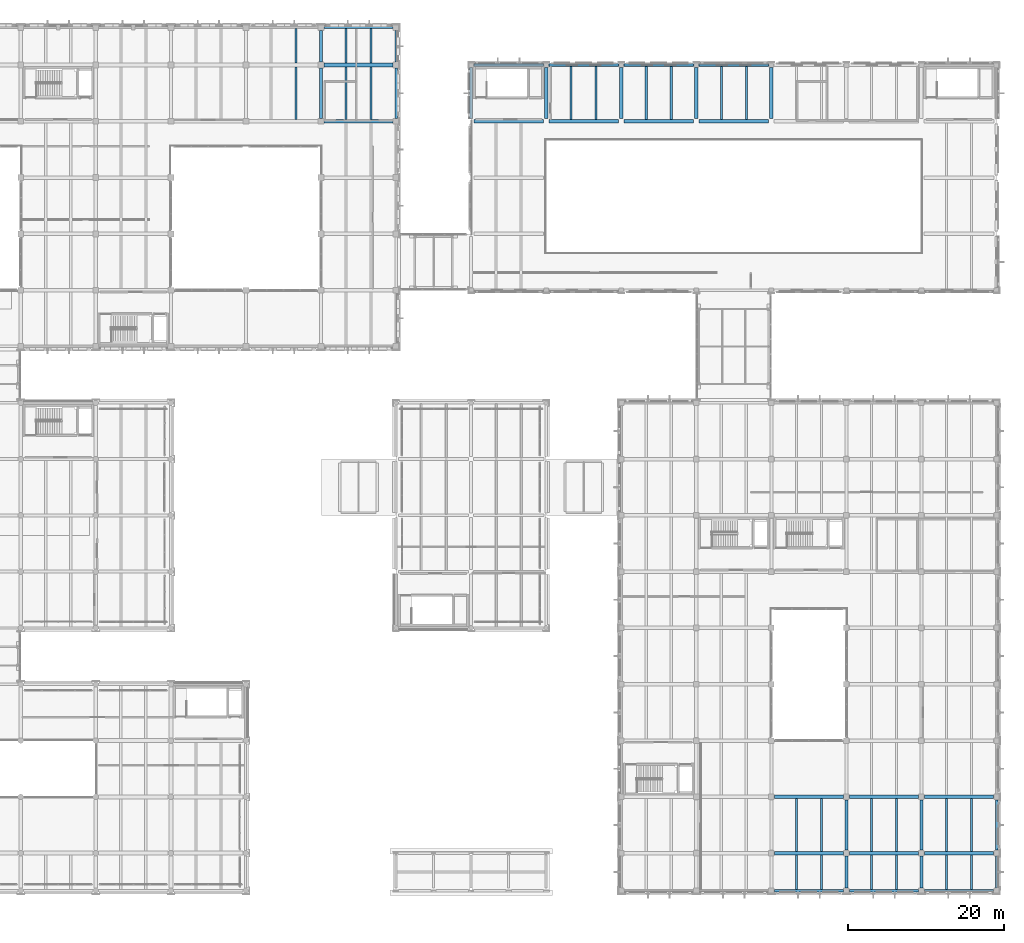
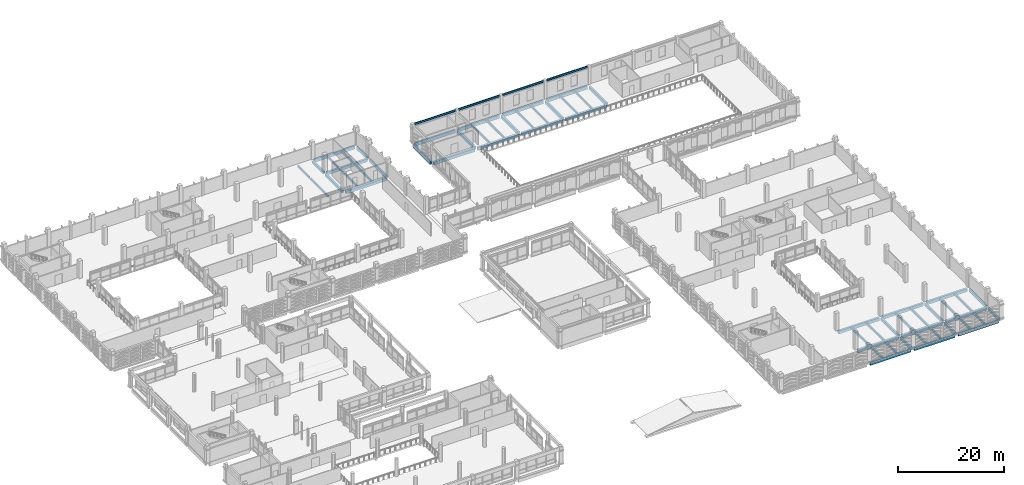
# One storey, part 113 of 180: 63 beams.
"""IFC4 building model written with IfcOpenShell, lengths in metres."""

from ifc_helpers import new_model, si_unit, direction, frame, origin, origin_2d, place, context, subcontext, project, spatial, rectangle, i_section, extrude, material, material_profile, profile_set, type_object, element, save


model = new_model("IFC4")

# Units and contexts
model_context = context("Model", 3, precision=1e-05, world=origin(), true_north=direction((0.0, 1.0)))
body_context = subcontext(model_context, "Body", "Model", "MODEL_VIEW")
ifc_project = project(units=[si_unit("LENGTHUNIT", "METRE"), si_unit("AREAUNIT", "SQUARE_METRE"), si_unit("VOLUMEUNIT", "CUBIC_METRE"), si_unit("PLANEANGLEUNIT", "RADIAN"), si_unit("MASSUNIT", "GRAM", prefix="KILO")], contexts=[model_context])

# Site, building, storey
site_placement = place(None, origin())
site = spatial("IfcSite", under=ifc_project, at=site_placement, CompositionType="ELEMENT")
building_placement = place(site_placement, origin())
building = spatial("IfcBuilding", under=site, at=building_placement, Name="Asteropetra Specialist Clinic", CompositionType="ELEMENT")
storey_placement = place(building_placement, frame((0.0, 0.0, 4.419921875)))
storey = spatial("IfcBuildingStorey", under=building, at=storey_placement, Name="L01", CompositionType="ELEMENT", Elevation=4.419921875)

# Beams
ifc_material_1 = material(Name="Concrete C35/45", Category="concrete")
ifc_material_profile_1 = material_profile(ifc_material_1, rectangle(XDim=0.39990234375, YDim=0.60009765625, at=origin_2d()), Name="RCB 400x600")
ifc_profile_set_1 = profile_set([ifc_material_profile_1], Name="Concrete C35/45")
beam_type_1 = type_object("IfcBeamType", Name="BM-RC400x600", PredefinedType="BEAM", material=ifc_profile_set_1)
beam_1_placement = place(storey_placement, frame((67.199951171875, 98.77490234375, -0.579833984375), z_axis=(0.0, 1.0, 0.0), x_axis=(-1.0, 0.0, 0.0)))
element("IfcBeam", 1, at=beam_1_placement, inside=storey, type_object=beam_type_1, Name="Beam BBM08-0725", PredefinedType="BEAM", context=body_context, shape_type="SweptSolid", body=[
    extrude(rectangle(XDim=0.39990234375, YDim=0.60009765625, at=origin_2d()), origin(), (0.0, 0.0, 1.0), 6.4501953125),
])
beam_2_placement = place(storey_placement, frame((67.199951171875, 105.97509765625, -0.579833984375), z_axis=(0.0, 1.0, 0.0), x_axis=(-1.0, 0.0, 0.0)))
element("IfcBeam", 2, at=beam_2_placement, inside=storey, type_object=beam_type_1, Name="Beam BBM08-0746", PredefinedType="BEAM", context=body_context, shape_type="SweptSolid", body=[
    extrude(rectangle(XDim=0.39990234375, YDim=0.60009765625, at=origin_2d()), origin(), (0.0, 0.0, 1.0), 4.0498046875),
])
ifc_material_2 = material(Name="Concrete C35/45", Category="concrete")
ifc_material_profile_2 = material_profile(ifc_material_2, rectangle(XDim=0.39990234375, YDim=0.64990234375, at=origin_2d()), Name="RCB 400x650")
ifc_profile_set_2 = profile_set([ifc_material_profile_2], Name="Concrete C35/45")
beam_type_2 = type_object("IfcBeamType", Name="BM-RC400x650", PredefinedType="BEAM", material=ifc_profile_set_2)
for number, where, z_axis, x_axis, name in (
    (3, (134.39990234375, 0.375, -0.625), (0.0, 1.0, 0.0), (-1.0, 0.0, 0.0), "Beam BBM07-0444"),
    (4, (144.0, 0.375, -0.625), (0.0, 1.0, 0.0), (-1.0, 0.0, 0.0), "Beam BBM07-0445"),
):
    element("IfcBeam", number, at=place(storey_placement, frame(where, z_axis=z_axis, x_axis=x_axis)), inside=storey, type_object=beam_type_2, Name=name, PredefinedType="BEAM", context=body_context, shape_type="SweptSolid", body=[
        extrude(rectangle(XDim=0.39990234375, YDim=0.64990234375, at=origin_2d()), origin(), (0.0, 0.0, 1.0), 4.050048828125),
    ])
for number, where, z_axis, x_axis, name in (
    (5, (134.39990234375, 5.175048828125, -0.625), (0.0, 1.0, 0.0), (-1.0, 0.0, 0.0), "Beam BBM07-0460"),
    (6, (144.0, 5.175048828125, -0.625), (0.0, 1.0, 0.0), (-1.0, 0.0, 0.0), "Beam BBM07-0461"),
):
    element("IfcBeam", number, at=place(storey_placement, frame(where, z_axis=z_axis, x_axis=x_axis)), inside=storey, type_object=beam_type_2, Name=name, PredefinedType="BEAM", context=body_context, shape_type="SweptSolid", body=[
        extrude(rectangle(XDim=0.39990234375, YDim=0.64990234375, at=origin_2d()), origin(), (0.0, 0.0, 1.0), 6.449951171875),
    ])
ifc_material_3 = material(Name="Concrete C35/45", Category="concrete")
ifc_material_profile_3 = material_profile(ifc_material_3, rectangle(XDim=0.449951171875, YDim=0.64990234375, at=origin_2d()), Name="RCB 450x650")
ifc_profile_set_3 = profile_set([ifc_material_profile_3], Name="Concrete C35/45")
beam_type_3 = type_object("IfcBeamType", Name="BM-RC450x650", PredefinedType="BEAM", material=ifc_profile_set_3)
for number, where, z_axis, x_axis, name in (
    (7, (96.0, 98.75, -0.60498046875), (0.0, 1.0, 0.0), (-1.0, 0.0, 0.0), "Beam BBM06-0609"),
    (8, (105.60009765625, 98.75, -0.60498046875), (0.0, 1.0, 0.0), (-1.0, 0.0, 0.0), "Beam BBM06-0610"),
    (9, (115.199951171875, 98.75, -0.60498046875), (0.0, 1.0, 0.0), (-1.0, 0.0, 0.0), "Beam BBM06-0611"),
    (10, (124.800048828125, 98.75, -0.60498046875), (0.0, 1.0, 0.0), (-1.0, 0.0, 0.0), "Beam BBM06-0612"),
):
    element("IfcBeam", number, at=place(storey_placement, frame(where, z_axis=z_axis, x_axis=x_axis)), inside=storey, type_object=beam_type_3, Name=name, PredefinedType="BEAM", context=body_context, shape_type="SweptSolid", body=[
        extrude(rectangle(XDim=0.449951171875, YDim=0.64990234375, at=origin_2d()), origin(), (0.0, 0.0, 1.0), 6.5),
    ])
for number, where, z_axis, x_axis, name in (
    (11, (67.574951171875, 98.39990234375, -0.60498046875), (1.0, 0.0, 0.0), (0.0, 1.0, 0.0), "Beam BBM06-0653"),
    (12, (67.574951171875, 105.60009765625, -0.60498046875), (1.0, 0.0, 0.0), (0.0, 1.0, 0.0), "Beam BBM06-0661"),
):
    element("IfcBeam", number, at=place(storey_placement, frame(where, z_axis=z_axis, x_axis=x_axis)), inside=storey, type_object=beam_type_3, Name=name, PredefinedType="BEAM", context=body_context, shape_type="SweptSolid", body=[
        extrude(rectangle(XDim=0.449951171875, YDim=0.64990234375, at=origin_2d()), origin(), (0.0, 0.0, 1.0), 8.85009765625),
    ])
ifc_material_4 = material(Name="Concrete C35/45", Category="concrete")
ifc_material_profile_4 = material_profile(ifc_material_4, rectangle(XDim=0.449951171875, YDim=0.699951171875, at=origin_2d()), Name="RCB 450x700")
ifc_profile_set_4 = profile_set([ifc_material_profile_4], Name="Concrete C35/45")
beam_type_4 = type_object("IfcBeamType", Name="BM-RC450x700", PredefinedType="BEAM", material=ifc_profile_set_4)
beam_3_placement = place(storey_placement, frame((125.175048828125, 4.800048828125, -0.64990234375), z_axis=(1.0, 0.0, 0.0), x_axis=(0.0, 1.0, 0.0)))
element("IfcBeam", 13, at=beam_3_placement, inside=storey, type_object=beam_type_4, Name="Beam BBM05-0401", PredefinedType="BEAM", context=body_context, shape_type="SweptSolid", body=[
    extrude(rectangle(XDim=0.449951171875, YDim=0.699951171875, at=origin_2d()), origin(), (0.0, 0.0, 1.0), 8.849853515625),
])
for number, where, z_axis, x_axis, name in (
    (14, (134.77490234375, 4.800048828125, -0.64990234375), (1.0, 0.0, 0.0), (0.0, 1.0, 0.0), "Beam BBM05-0402"),
    (15, (144.375, 4.800048828125, -0.64990234375), (1.0, 0.0, 0.0), (0.0, 1.0, 0.0), "Beam BBM05-0403"),
):
    element("IfcBeam", number, at=place(storey_placement, frame(where, z_axis=z_axis, x_axis=x_axis)), inside=storey, type_object=beam_type_4, Name=name, PredefinedType="BEAM", context=body_context, shape_type="SweptSolid", body=[
        extrude(rectangle(XDim=0.449951171875, YDim=0.699951171875, at=origin_2d()), origin(), (0.0, 0.0, 1.0), 8.85009765625),
    ])
beam_4_placement = place(storey_placement, frame((125.175048828125, 12.0, -0.64990234375), z_axis=(1.0, 0.0, 0.0), x_axis=(0.0, 1.0, 0.0)))
element("IfcBeam", 16, at=beam_4_placement, inside=storey, type_object=beam_type_4, Name="Beam BBM05-0406", PredefinedType="BEAM", context=body_context, shape_type="SweptSolid", body=[
    extrude(rectangle(XDim=0.449951171875, YDim=0.699951171875, at=origin_2d()), origin(), (0.0, 0.0, 1.0), 8.849853515625),
])
for number, where, z_axis, x_axis, name in (
    (17, (134.77490234375, 12.0, -0.64990234375), (1.0, 0.0, 0.0), (0.0, 1.0, 0.0), "Beam BBM05-0407"),
    (18, (144.375, 12.0, -0.64990234375), (1.0, 0.0, 0.0), (0.0, 1.0, 0.0), "Beam BBM05-0408"),
):
    element("IfcBeam", number, at=place(storey_placement, frame(where, z_axis=z_axis, x_axis=x_axis)), inside=storey, type_object=beam_type_4, Name=name, PredefinedType="BEAM", context=body_context, shape_type="SweptSolid", body=[
        extrude(rectangle(XDim=0.449951171875, YDim=0.699951171875, at=origin_2d()), origin(), (0.0, 0.0, 1.0), 8.85009765625),
    ])
for number, where, z_axis, x_axis, name in (
    (19, (86.75, 98.39990234375, -0.6298828125), (1.0, 0.0, 0.0), (0.0, 1.0, 0.0), "Beam BBM05-0576"),
    (20, (96.35009765625, 98.39990234375, -0.6298828125), (1.0, 0.0, 0.0), (0.0, 1.0, 0.0), "Beam BBM05-0577"),
):
    element("IfcBeam", number, at=place(storey_placement, frame(where, z_axis=z_axis, x_axis=x_axis)), inside=storey, type_object=beam_type_4, Name=name, PredefinedType="BEAM", context=body_context, shape_type="SweptSolid", body=[
        extrude(rectangle(XDim=0.449951171875, YDim=0.699951171875, at=origin_2d()), origin(), (0.0, 0.0, 1.0), 8.89990234375),
    ])
beam_5_placement = place(storey_placement, frame((105.949951171875, 98.39990234375, -0.6298828125), z_axis=(1.0, 0.0, 0.0), x_axis=(0.0, 1.0, 0.0)))
element("IfcBeam", 21, at=beam_5_placement, inside=storey, type_object=beam_type_4, Name="Beam BBM05-0578", PredefinedType="BEAM", context=body_context, shape_type="SweptSolid", body=[
    extrude(rectangle(XDim=0.449951171875, YDim=0.699951171875, at=origin_2d()), origin(), (0.0, 0.0, 1.0), 8.900146484375),
])
beam_6_placement = place(storey_placement, frame((115.550048828125, 98.39990234375, -0.6298828125), z_axis=(1.0, 0.0, 0.0), x_axis=(0.0, 1.0, 0.0)))
element("IfcBeam", 22, at=beam_6_placement, inside=storey, type_object=beam_type_4, Name="Beam BBM05-0579", PredefinedType="BEAM", context=body_context, shape_type="SweptSolid", body=[
    extrude(rectangle(XDim=0.449951171875, YDim=0.699951171875, at=origin_2d()), origin(), (0.0, 0.0, 1.0), 8.89990234375),
])
ifc_material_5 = material(Name="Steel S355", Category="steel")
ifc_material_profile_5 = material_profile(ifc_material_5, i_section(OverallWidth=0.18994140625, OverallDepth=0.449951171875, WebThickness=0.009521484375, FlangeThickness=0.0146484375, FilletRadius=0.02099609375, at=origin_2d()), Name="IPE 450")
ifc_profile_set_5 = profile_set([ifc_material_profile_5], Name="Steel S355")
beam_type_5 = type_object("IfcBeamType", Name="BM-STL-IPE450", PredefinedType="BEAM", material=ifc_profile_set_5)
for number, where, z_axis, x_axis, name in (
    (23, (86.699951171875, 105.60009765625, 4.030029296875), (1.0, 0.0, 0.0), (0.0, 1.0, 0.0), "Hall Eave Girder EG-86-105"),
    (24, (96.300048828125, 105.60009765625, 4.030029296875), (1.0, 0.0, 0.0), (0.0, 1.0, 0.0), "Hall Eave Girder EG-96-105"),
    (25, (105.89990234375, 105.60009765625, 4.030029296875), (1.0, 0.0, 0.0), (0.0, 1.0, 0.0), "Hall Eave Girder EG-105-105"),
    (26, (115.5, 105.60009765625, 4.030029296875), (1.0, 0.0, 0.0), (0.0, 1.0, 0.0), "Hall Eave Girder EG-115-105"),
):
    element("IfcBeam", number, at=place(storey_placement, frame(where, z_axis=z_axis, x_axis=x_axis)), inside=storey, type_object=beam_type_5, Name=name, PredefinedType="BEAM", context=body_context, shape_type="SweptSolid", body=[
        extrude(i_section(OverallWidth=0.18994140625, OverallDepth=0.449951171875, WebThickness=0.009521484375, FlangeThickness=0.0146484375, FilletRadius=0.02099609375, at=origin_2d()), origin(), (0.0, 0.0, 1.0), 9.0),
    ])
ifc_material_6 = material(Name="Concrete C35/45", Category="concrete")
ifc_material_profile_6 = material_profile(ifc_material_6, rectangle(XDim=0.260009765625, YDim=0.47998046875, at=origin_2d()), Name="RCJ 260x480")
ifc_profile_set_6 = profile_set([ifc_material_profile_6], Name="Concrete C35/45")
beam_type_6 = type_object("IfcBeamType", Name="JST-RC260x480", PredefinedType="JOIST", material=ifc_profile_set_6)
for number, where, z_axis, x_axis, name in (
    (27, (99.199951171875, 98.625, -0.52001953125), (0.0, 1.0, 0.0), (-1.0, 0.0, 0.0), "Joist JJST02-0616"),
    (28, (102.39990234375, 98.625, -0.52001953125), (0.0, 1.0, 0.0), (-1.0, 0.0, 0.0), "Joist JJST02-0617"),
    (29, (108.800048828125, 98.625, -0.52001953125), (0.0, 1.0, 0.0), (-1.0, 0.0, 0.0), "Joist JJST02-0618"),
    (30, (112.0, 98.625, -0.52001953125), (0.0, 1.0, 0.0), (-1.0, 0.0, 0.0), "Joist JJST02-0619"),
    (31, (118.39990234375, 98.625, -0.52001953125), (0.0, 1.0, 0.0), (-1.0, 0.0, 0.0), "Joist JJST02-0620"),
    (32, (121.60009765625, 98.625, -0.52001953125), (0.0, 1.0, 0.0), (-1.0, 0.0, 0.0), "Joist JJST02-0621"),
):
    element("IfcBeam", number, at=place(storey_placement, frame(where, z_axis=z_axis, x_axis=x_axis)), inside=storey, type_object=beam_type_6, Name=name, PredefinedType="JOIST", context=body_context, shape_type="SweptSolid", body=[
        extrude(rectangle(XDim=0.260009765625, YDim=0.47998046875, at=origin_2d()), origin(), (0.0, 0.0, 1.0), 6.800048828125),
    ])
for number, where, z_axis, x_axis, name in (
    (33, (64.0, 98.625, -0.52001953125), (0.0, 1.0, 0.0), (-1.0, 0.0, 0.0), "Joist JJST02-0736"),
    (34, (70.39990234375, 98.625, -0.52001953125), (0.0, 1.0, 0.0), (-1.0, 0.0, 0.0), "Joist JJST02-0737"),
    (35, (73.60009765625, 98.625, -0.52001953125), (0.0, 1.0, 0.0), (-1.0, 0.0, 0.0), "Joist JJST02-0738"),
):
    element("IfcBeam", number, at=place(storey_placement, frame(where, z_axis=z_axis, x_axis=x_axis)), inside=storey, type_object=beam_type_6, Name=name, PredefinedType="JOIST", context=body_context, shape_type="SweptSolid", body=[
        extrude(rectangle(XDim=0.260009765625, YDim=0.47998046875, at=origin_2d()), origin(), (0.0, 0.0, 1.0), 6.75),
    ])
for number, where, z_axis, x_axis, name in (
    (36, (64.0, 105.824951171875, -0.52001953125), (0.0, 1.0, 0.0), (-1.0, 0.0, 0.0), "Joist JJST02-0761"),
    (37, (70.39990234375, 105.824951171875, -0.52001953125), (0.0, 1.0, 0.0), (-1.0, 0.0, 0.0), "Joist JJST02-0762"),
    (38, (73.60009765625, 105.824951171875, -0.52001953125), (0.0, 1.0, 0.0), (-1.0, 0.0, 0.0), "Joist JJST02-0763"),
):
    element("IfcBeam", number, at=place(storey_placement, frame(where, z_axis=z_axis, x_axis=x_axis)), inside=storey, type_object=beam_type_6, Name=name, PredefinedType="JOIST", context=body_context, shape_type="SweptSolid", body=[
        extrude(rectangle(XDim=0.260009765625, YDim=0.47998046875, at=origin_2d()), origin(), (0.0, 0.0, 1.0), 4.4150390625),
    ])
ifc_material_7 = material(Name="Concrete C35/45", Category="concrete")
ifc_material_profile_7 = material_profile(ifc_material_7, rectangle(XDim=0.280029296875, YDim=0.52001953125, at=origin_2d()), Name="RCJ 280x520")
ifc_profile_set_7 = profile_set([ifc_material_profile_7], Name="Concrete C35/45")
beam_type_7 = type_object("IfcBeamType", Name="JST-RC280x520", PredefinedType="JOIST", material=ifc_profile_set_7)
for number, where, z_axis, x_axis, name in (
    (39, (128.0, 0.159912109375, -0.559814453125), (0.0, 1.0, 0.0), (-1.0, 0.0, 0.0), "Joist JJST01-0451"),
    (40, (131.199951171875, 0.159912109375, -0.559814453125), (0.0, 1.0, 0.0), (-1.0, 0.0, 0.0), "Joist JJST01-0452"),
    (41, (137.60009765625, 0.159912109375, -0.559814453125), (0.0, 1.0, 0.0), (-1.0, 0.0, 0.0), "Joist JJST01-0453"),
    (42, (140.800048828125, 0.159912109375, -0.559814453125), (0.0, 1.0, 0.0), (-1.0, 0.0, 0.0), "Joist JJST01-0454"),
    (43, (147.199951171875, 0.159912109375, -0.559814453125), (0.0, 1.0, 0.0), (-1.0, 0.0, 0.0), "Joist JJST01-0455"),
    (44, (150.39990234375, 0.159912109375, -0.559814453125), (0.0, 1.0, 0.0), (-1.0, 0.0, 0.0), "Joist JJST01-0456"),
):
    element("IfcBeam", number, at=place(storey_placement, frame(where, z_axis=z_axis, x_axis=x_axis)), inside=storey, type_object=beam_type_7, Name=name, PredefinedType="JOIST", context=body_context, shape_type="SweptSolid", body=[
        extrude(rectangle(XDim=0.280029296875, YDim=0.52001953125, at=origin_2d()), origin(), (0.0, 0.0, 1.0), 4.4150390625),
    ])
for number, where, z_axis, x_axis, name in (
    (45, (128.0, 5.02490234375, -0.559814453125), (0.0, 1.0, 0.0), (-1.0, 0.0, 0.0), "Joist JJST01-0467"),
    (46, (131.199951171875, 5.02490234375, -0.559814453125), (0.0, 1.0, 0.0), (-1.0, 0.0, 0.0), "Joist JJST01-0468"),
    (47, (137.60009765625, 5.02490234375, -0.559814453125), (0.0, 1.0, 0.0), (-1.0, 0.0, 0.0), "Joist JJST01-0469"),
    (48, (140.800048828125, 5.02490234375, -0.559814453125), (0.0, 1.0, 0.0), (-1.0, 0.0, 0.0), "Joist JJST01-0470"),
    (49, (147.199951171875, 5.02490234375, -0.559814453125), (0.0, 1.0, 0.0), (-1.0, 0.0, 0.0), "Joist JJST01-0471"),
    (50, (150.39990234375, 5.02490234375, -0.559814453125), (0.0, 1.0, 0.0), (-1.0, 0.0, 0.0), "Joist JJST01-0472"),
):
    element("IfcBeam", number, at=place(storey_placement, frame(where, z_axis=z_axis, x_axis=x_axis)), inside=storey, type_object=beam_type_7, Name=name, PredefinedType="JOIST", context=body_context, shape_type="SweptSolid", body=[
        extrude(rectangle(XDim=0.280029296875, YDim=0.52001953125, at=origin_2d()), origin(), (0.0, 0.0, 1.0), 6.75),
    ])
ifc_material_8 = material(Name="Concrete C35/45", Category="concrete")
ifc_material_profile_8 = material_profile(ifc_material_8, rectangle(XDim=0.320068359375, YDim=0.699951171875, at=origin_2d()), Name="RCS 320x700")
ifc_profile_set_8 = profile_set([ifc_material_profile_8], Name="Concrete C35/45")
beam_type_8 = type_object("IfcBeamType", Name="SPN-RC320x700", PredefinedType="SPANDREL", material=ifc_profile_set_8)
beam_7_placement = place(storey_placement, frame((125.175048828125, 0.0, -0.64990234375), z_axis=(1.0, 0.0, 0.0), x_axis=(0.0, 1.0, 0.0)))
element("IfcBeam", 51, at=beam_7_placement, inside=storey, type_object=beam_type_8, Name="Beam BSPN02-0396", PredefinedType="SPANDREL", context=body_context, shape_type="SweptSolid", body=[
    extrude(rectangle(XDim=0.320068359375, YDim=0.699951171875, at=origin_2d()), origin(), (0.0, 0.0, 1.0), 8.849853515625),
])
for number, where, z_axis, x_axis, name in (
    (52, (134.77490234375, 0.0, -0.64990234375), (1.0, 0.0, 0.0), (0.0, 1.0, 0.0), "Beam BSPN02-0397"),
    (53, (144.375, 0.0, -0.64990234375), (1.0, 0.0, 0.0), (0.0, 1.0, 0.0), "Beam BSPN02-0398"),
):
    element("IfcBeam", number, at=place(storey_placement, frame(where, z_axis=z_axis, x_axis=x_axis)), inside=storey, type_object=beam_type_8, Name=name, PredefinedType="SPANDREL", context=body_context, shape_type="SweptSolid", body=[
        extrude(rectangle(XDim=0.320068359375, YDim=0.699951171875, at=origin_2d()), origin(), (0.0, 0.0, 1.0), 8.85009765625),
    ])
beam_8_placement = place(storey_placement, frame((153.60009765625, 0.375, -0.64990234375), z_axis=(0.0, 1.0, 0.0), x_axis=(-1.0, 0.0, 0.0)))
element("IfcBeam", 54, at=beam_8_placement, inside=storey, type_object=beam_type_8, Name="Beam BSPN02-0446", PredefinedType="SPANDREL", context=body_context, shape_type="SweptSolid", body=[
    extrude(rectangle(XDim=0.320068359375, YDim=0.699951171875, at=origin_2d()), origin(), (0.0, 0.0, 1.0), 4.050048828125),
])
beam_9_placement = place(storey_placement, frame((153.60009765625, 5.175048828125, -0.64990234375), z_axis=(0.0, 1.0, 0.0), x_axis=(-1.0, 0.0, 0.0)))
element("IfcBeam", 55, at=beam_9_placement, inside=storey, type_object=beam_type_8, Name="Beam BSPN02-0462", PredefinedType="SPANDREL", context=body_context, shape_type="SweptSolid", body=[
    extrude(rectangle(XDim=0.320068359375, YDim=0.699951171875, at=origin_2d()), origin(), (0.0, 0.0, 1.0), 6.449951171875),
])
beam_10_placement = place(storey_placement, frame((67.574951171875, 110.39990234375, -0.6298828125), z_axis=(1.0, 0.0, 0.0), x_axis=(0.0, 1.0, 0.0)))
element("IfcBeam", 56, at=beam_10_placement, inside=storey, type_object=beam_type_8, Name="Beam BSPN02-0669", PredefinedType="SPANDREL", context=body_context, shape_type="SweptSolid", body=[
    extrude(rectangle(XDim=0.320068359375, YDim=0.699951171875, at=origin_2d()), origin(), (0.0, 0.0, 1.0), 8.85009765625),
])
beam_11_placement = place(storey_placement, frame((76.800048828125, 98.77490234375, -0.6298828125), z_axis=(0.0, 1.0, 0.0), x_axis=(-1.0, 0.0, 0.0)))
element("IfcBeam", 57, at=beam_11_placement, inside=storey, type_object=beam_type_8, Name="Beam BSPN02-0726", PredefinedType="SPANDREL", context=body_context, shape_type="SweptSolid", body=[
    extrude(rectangle(XDim=0.320068359375, YDim=0.699951171875, at=origin_2d()), origin(), (0.0, 0.0, 1.0), 6.4501953125),
])
beam_12_placement = place(storey_placement, frame((76.800048828125, 105.97509765625, -0.6298828125), z_axis=(0.0, 1.0, 0.0), x_axis=(-1.0, 0.0, 0.0)))
element("IfcBeam", 58, at=beam_12_placement, inside=storey, type_object=beam_type_8, Name="Beam BSPN02-0747", PredefinedType="SPANDREL", context=body_context, shape_type="SweptSolid", body=[
    extrude(rectangle(XDim=0.320068359375, YDim=0.699951171875, at=origin_2d()), origin(), (0.0, 0.0, 1.0), 4.0498046875),
])
ifc_material_9 = material(Name="Concrete C35/45", Category="concrete")
ifc_material_profile_9 = material_profile(ifc_material_9, rectangle(XDim=0.35009765625, YDim=0.75, at=origin_2d()), Name="RCS 350x750")
ifc_profile_set_9 = profile_set([ifc_material_profile_9], Name="Concrete C35/45")
beam_type_9 = type_object("IfcBeamType", Name="SPN-RC350x750", PredefinedType="SPANDREL", material=ifc_profile_set_9)
for number, where, z_axis, x_axis, name in (
    (59, (86.75, 105.60009765625, -0.655029296875), (1.0, 0.0, 0.0), (0.0, 1.0, 0.0), "Beam BSPN01-0583"),
    (60, (96.35009765625, 105.60009765625, -0.655029296875), (1.0, 0.0, 0.0), (0.0, 1.0, 0.0), "Beam BSPN01-0584"),
):
    element("IfcBeam", number, at=place(storey_placement, frame(where, z_axis=z_axis, x_axis=x_axis)), inside=storey, type_object=beam_type_9, Name=name, PredefinedType="SPANDREL", context=body_context, shape_type="SweptSolid", body=[
        extrude(rectangle(XDim=0.35009765625, YDim=0.75, at=origin_2d()), origin(), (0.0, 0.0, 1.0), 8.89990234375),
    ])
beam_13_placement = place(storey_placement, frame((105.949951171875, 105.60009765625, -0.655029296875), z_axis=(1.0, 0.0, 0.0), x_axis=(0.0, 1.0, 0.0)))
element("IfcBeam", 61, at=beam_13_placement, inside=storey, type_object=beam_type_9, Name="Beam BSPN01-0585", PredefinedType="SPANDREL", context=body_context, shape_type="SweptSolid", body=[
    extrude(rectangle(XDim=0.35009765625, YDim=0.75, at=origin_2d()), origin(), (0.0, 0.0, 1.0), 8.900146484375),
])
beam_14_placement = place(storey_placement, frame((115.550048828125, 105.60009765625, -0.655029296875), z_axis=(1.0, 0.0, 0.0), x_axis=(0.0, 1.0, 0.0)))
element("IfcBeam", 62, at=beam_14_placement, inside=storey, type_object=beam_type_9, Name="Beam BSPN01-0586", PredefinedType="SPANDREL", context=body_context, shape_type="SweptSolid", body=[
    extrude(rectangle(XDim=0.35009765625, YDim=0.75, at=origin_2d()), origin(), (0.0, 0.0, 1.0), 8.89990234375),
])
beam_15_placement = place(storey_placement, frame((86.39990234375, 98.75, -0.655029296875), z_axis=(0.0, 1.0, 0.0), x_axis=(-1.0, 0.0, 0.0)))
element("IfcBeam", 63, at=beam_15_placement, inside=storey, type_object=beam_type_9, Name="Beam BSPN01-0608", PredefinedType="SPANDREL", context=body_context, shape_type="SweptSolid", body=[
    extrude(rectangle(XDim=0.35009765625, YDim=0.75, at=origin_2d()), origin(), (0.0, 0.0, 1.0), 6.5),
])

save(model, "model.ifc")
